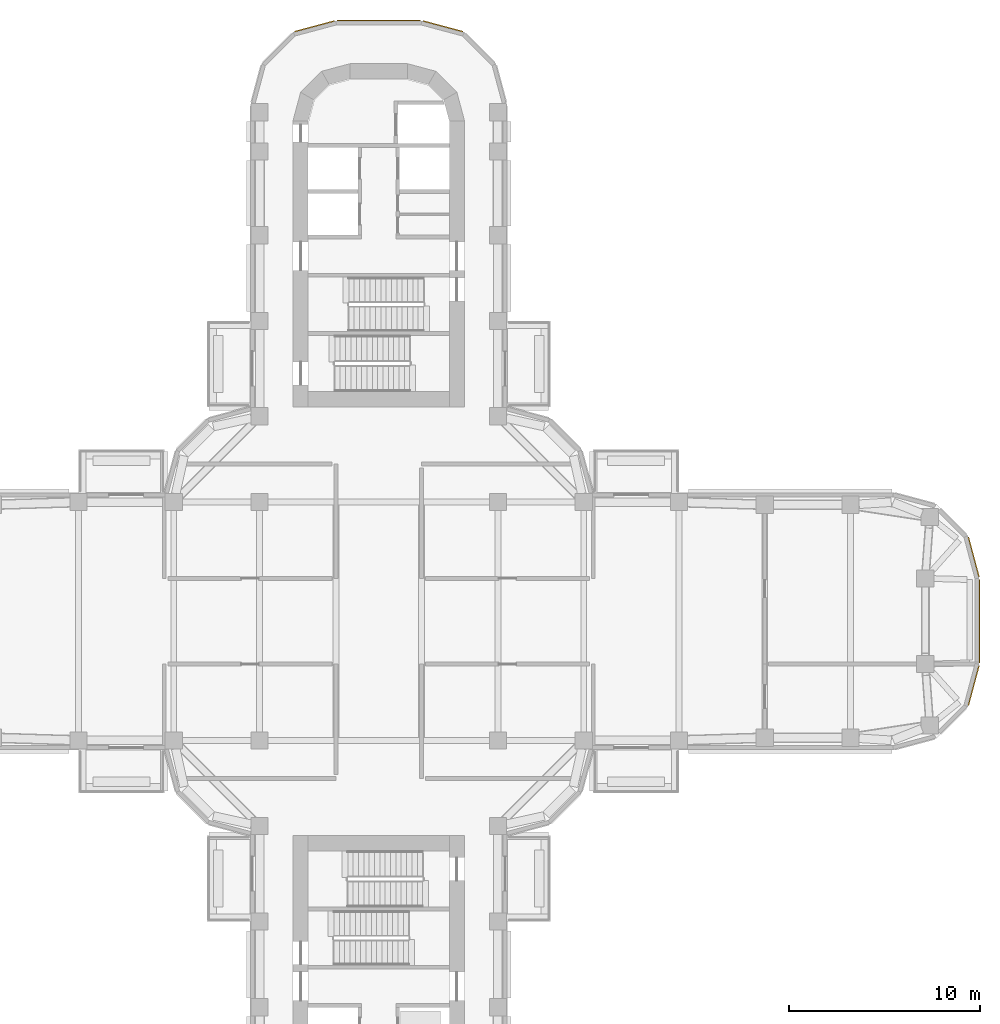
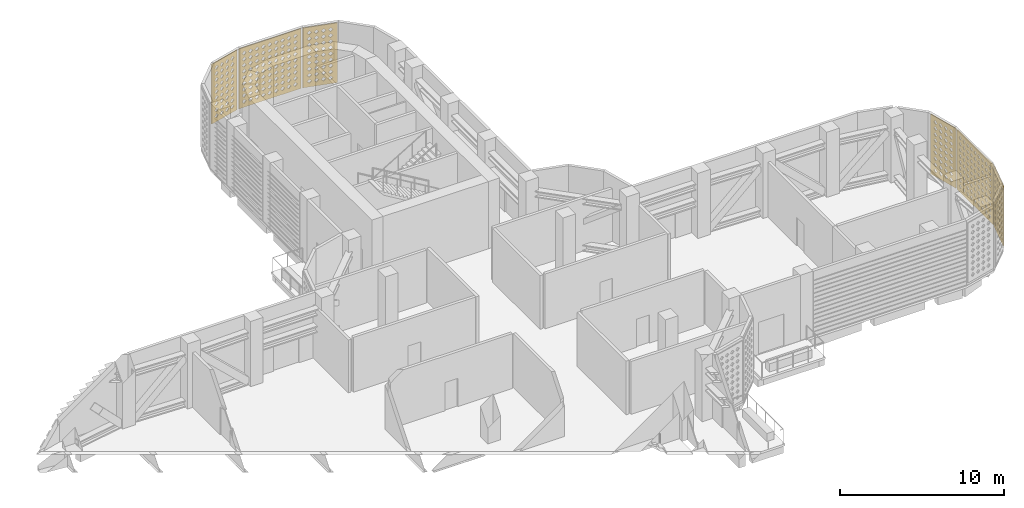
# One storey, part 19 of 20: 6 coverings.
"""IFC4 building model written with IfcOpenShell, lengths in metres."""

from ifc_helpers import new_model, si_unit, direction, frame, origin, place, context, subcontext, project, spatial, polyline, outline, extrude, source, transform, mapped, material, layer, layer_set, type_object, element, save


model = new_model("IFC4")

# Units and contexts
model_context = context("Model", 3, precision=1e-05, world=origin(), true_north=direction((0.0, 1.0)))
body_context = subcontext(model_context, "Body", "Model", "MODEL_VIEW")
ifc_project = project(units=[si_unit("LENGTHUNIT", "METRE"), si_unit("AREAUNIT", "SQUARE_METRE"), si_unit("VOLUMEUNIT", "CUBIC_METRE"), si_unit("PLANEANGLEUNIT", "RADIAN"), si_unit("MASSUNIT", "GRAM", prefix="KILO")], contexts=[model_context])

# Site, building, storey
site_placement = place(None, origin())
site = spatial("IfcSite", under=ifc_project, at=site_placement, CompositionType="ELEMENT")
building_placement = place(site_placement, origin())
building = spatial("IfcBuilding", under=site, at=building_placement, Name="Zarbagh Exchange Tower", CompositionType="ELEMENT")
storey_placement = place(building_placement, frame((0.0, 0.0, 136.0)))
storey = spatial("IfcBuildingStorey", under=building, at=storey_placement, Name="L32", CompositionType="ELEMENT", Elevation=136.0)

# Coverings
ifc_material = material(Name="Glass-fibre reinforced concrete GFRC C50/60", Category="concrete")
ifc_layer = layer(ifc_material, 0.06005859375)
ifc_layer_set = layer_set([ifc_layer], Name="SCREEN jali panel, GFRC")
covering_type = type_object("IfcCoveringType", Name="SCREEN jali panel, GFRC", PredefinedType="CLADDING", material=ifc_layer_set)
shared_shape_1 = source(origin(), body_context, "Body", "SweptSolid", [
    extrude(outline(polyline([(0.0, 0.0), (2.181396484375, 0.0), (2.181396484375, 4.449951171875), (0.0, 4.449951171875), (0.0, 0.0)]), holes=[polyline([(0.265625, 0.425048828125), (0.415771484375, 0.27490234375), (0.565673828125, 0.425048828125), (0.415771484375, 0.574951171875), (0.265625, 0.425048828125)]), polyline([(0.265625, 0.875), (0.415771484375, 0.72509765625), (0.565673828125, 0.875), (0.415771484375, 1.02490234375), (0.265625, 0.875)]), polyline([(0.265625, 1.324951171875), (0.415771484375, 1.175048828125), (0.565673828125, 1.324951171875), (0.415771484375, 1.47509765625), (0.265625, 1.324951171875)]), polyline([(0.265625, 1.77490234375), (0.415771484375, 1.625), (0.565673828125, 1.77490234375), (0.415771484375, 1.925048828125), (0.265625, 1.77490234375)]), polyline([(0.265625, 2.22509765625), (0.415771484375, 2.074951171875), (0.565673828125, 2.22509765625), (0.415771484375, 2.375), (0.265625, 2.22509765625)]), polyline([(0.265625, 2.675048828125), (0.415771484375, 2.52490234375), (0.565673828125, 2.675048828125), (0.415771484375, 2.824951171875), (0.265625, 2.675048828125)]), polyline([(0.265625, 3.125), (0.415771484375, 2.97509765625), (0.565673828125, 3.125), (0.415771484375, 3.27490234375), (0.265625, 3.125)]), polyline([(0.265625, 3.574951171875), (0.415771484375, 3.425048828125), (0.565673828125, 3.574951171875), (0.415771484375, 3.72509765625), (0.265625, 3.574951171875)]), polyline([(0.265625, 4.02490234375), (0.415771484375, 3.875), (0.565673828125, 4.02490234375), (0.415771484375, 4.175048828125), (0.265625, 4.02490234375)]), polyline([(0.7158203125, 0.425048828125), (0.86572265625, 0.27490234375), (1.015625, 0.425048828125), (0.86572265625, 0.574951171875), (0.7158203125, 0.425048828125)]), polyline([(0.7158203125, 0.875), (0.86572265625, 0.72509765625), (1.015625, 0.875), (0.86572265625, 1.02490234375), (0.7158203125, 0.875)]), polyline([(0.7158203125, 1.324951171875), (0.86572265625, 1.175048828125), (1.015625, 1.324951171875), (0.86572265625, 1.47509765625), (0.7158203125, 1.324951171875)]), polyline([(0.7158203125, 1.77490234375), (0.86572265625, 1.625), (1.015625, 1.77490234375), (0.86572265625, 1.925048828125), (0.7158203125, 1.77490234375)]), polyline([(0.7158203125, 2.22509765625), (0.86572265625, 2.074951171875), (1.015625, 2.22509765625), (0.86572265625, 2.375), (0.7158203125, 2.22509765625)]), polyline([(0.7158203125, 2.675048828125), (0.86572265625, 2.52490234375), (1.015625, 2.675048828125), (0.86572265625, 2.824951171875), (0.7158203125, 2.675048828125)]), polyline([(0.7158203125, 3.125), (0.86572265625, 2.97509765625), (1.015625, 3.125), (0.86572265625, 3.27490234375), (0.7158203125, 3.125)]), polyline([(0.7158203125, 3.574951171875), (0.86572265625, 3.425048828125), (1.015625, 3.574951171875), (0.86572265625, 3.72509765625), (0.7158203125, 3.574951171875)]), polyline([(0.7158203125, 4.02490234375), (0.86572265625, 3.875), (1.015625, 4.02490234375), (0.86572265625, 4.175048828125), (0.7158203125, 4.02490234375)]), polyline([(1.165771484375, 0.425048828125), (1.315673828125, 0.27490234375), (1.4658203125, 0.425048828125), (1.315673828125, 0.574951171875), (1.165771484375, 0.425048828125)]), polyline([(1.165771484375, 0.875), (1.315673828125, 0.72509765625), (1.4658203125, 0.875), (1.315673828125, 1.02490234375), (1.165771484375, 0.875)]), polyline([(1.165771484375, 1.324951171875), (1.315673828125, 1.175048828125), (1.4658203125, 1.324951171875), (1.315673828125, 1.47509765625), (1.165771484375, 1.324951171875)]), polyline([(1.165771484375, 1.77490234375), (1.315673828125, 1.625), (1.4658203125, 1.77490234375), (1.315673828125, 1.925048828125), (1.165771484375, 1.77490234375)]), polyline([(1.165771484375, 2.22509765625), (1.315673828125, 2.074951171875), (1.4658203125, 2.22509765625), (1.315673828125, 2.375), (1.165771484375, 2.22509765625)]), polyline([(1.165771484375, 2.675048828125), (1.315673828125, 2.52490234375), (1.4658203125, 2.675048828125), (1.315673828125, 2.824951171875), (1.165771484375, 2.675048828125)]), polyline([(1.165771484375, 3.125), (1.315673828125, 2.97509765625), (1.4658203125, 3.125), (1.315673828125, 3.27490234375), (1.165771484375, 3.125)]), polyline([(1.165771484375, 3.574951171875), (1.315673828125, 3.425048828125), (1.4658203125, 3.574951171875), (1.315673828125, 3.72509765625), (1.165771484375, 3.574951171875)]), polyline([(1.165771484375, 4.02490234375), (1.315673828125, 3.875), (1.4658203125, 4.02490234375), (1.315673828125, 4.175048828125), (1.165771484375, 4.02490234375)]), polyline([(1.61572265625, 0.425048828125), (1.765625, 0.27490234375), (1.915771484375, 0.425048828125), (1.765625, 0.574951171875), (1.61572265625, 0.425048828125)]), polyline([(1.61572265625, 0.875), (1.765625, 0.72509765625), (1.915771484375, 0.875), (1.765625, 1.02490234375), (1.61572265625, 0.875)]), polyline([(1.61572265625, 1.324951171875), (1.765625, 1.175048828125), (1.915771484375, 1.324951171875), (1.765625, 1.47509765625), (1.61572265625, 1.324951171875)]), polyline([(1.61572265625, 1.77490234375), (1.765625, 1.625), (1.915771484375, 1.77490234375), (1.765625, 1.925048828125), (1.61572265625, 1.77490234375)]), polyline([(1.61572265625, 2.22509765625), (1.765625, 2.074951171875), (1.915771484375, 2.22509765625), (1.765625, 2.375), (1.61572265625, 2.22509765625)]), polyline([(1.61572265625, 2.675048828125), (1.765625, 2.52490234375), (1.915771484375, 2.675048828125), (1.765625, 2.824951171875), (1.61572265625, 2.675048828125)]), polyline([(1.61572265625, 3.125), (1.765625, 2.97509765625), (1.915771484375, 3.125), (1.765625, 3.27490234375), (1.61572265625, 3.125)]), polyline([(1.61572265625, 3.574951171875), (1.765625, 3.425048828125), (1.915771484375, 3.574951171875), (1.765625, 3.72509765625), (1.61572265625, 3.574951171875)]), polyline([(1.61572265625, 4.02490234375), (1.765625, 3.875), (1.915771484375, 4.02490234375), (1.765625, 4.175048828125), (1.61572265625, 4.02490234375)])]), origin(), (0.0, 0.0, 1.0), 0.06005859375),
])
placement = place(storey_placement, origin())
element("IfcCovering", 1, at=placement, inside=storey, type_object=covering_type, Name="JS43 jali screen", PredefinedType="CLADDING", context=body_context, shape_type="MappedRepresentation", body=[
    mapped(shared_shape_1, transform((30.89892578125, -4.41552734375, 0.199951171875), x_axis=(0.258825057666, 0.965924215207, 0.0), y_axis=(0.0, 0.0, 1.0), z_axis=(0.965924215207, -0.258825057666, 0.0))),
])
element("IfcCovering", 2, at=placement, inside=storey, type_object=covering_type, Name="JS45 jali screen", PredefinedType="CLADDING", context=body_context, shape_type="MappedRepresentation", body=[
    mapped(shared_shape_1, transform((31.463623046875, 2.308349609375, 0.199951171875), x_axis=(-0.258825057666, 0.965924215207, 0.0), y_axis=(0.0, 0.0, 1.0), z_axis=(0.965924215207, 0.258825057666, 0.0))),
])
element("IfcCovering", 3, at=placement, inside=storey, type_object=covering_type, Name="JS50 jali screen", PredefinedType="CLADDING", context=body_context, shape_type="MappedRepresentation", body=[
    mapped(shared_shape_1, transform((4.41552734375, 30.89892578125, 0.199951171875), x_axis=(-0.965924215207, 0.258825057666, 0.0), y_axis=(0.0, 0.0, 1.0), z_axis=(0.258825057666, 0.965924215207, 0.0))),
])
element("IfcCovering", 4, at=placement, inside=storey, type_object=covering_type, Name="JS52 jali screen", PredefinedType="CLADDING", context=body_context, shape_type="MappedRepresentation", body=[
    mapped(shared_shape_1, transform((-2.308349609375, 31.463623046875, 0.199951171875), x_axis=(-0.965924215207, -0.258825057666, 0.0), y_axis=(0.0, 0.0, 1.0), z_axis=(-0.258825057666, 0.965924215207, 0.0))),
])
shared_shape_2 = source(origin(), body_context, "Body", "SweptSolid", [
    extrude(outline(polyline([(0.0, 0.0), (4.368408203125, 0.0), (4.368408203125, 4.449951171875), (0.0, 4.449951171875), (0.0, 0.0)]), holes=[polyline([(0.234130859375, 0.425048828125), (0.38427734375, 0.27490234375), (0.5341796875, 0.425048828125), (0.38427734375, 0.574951171875), (0.234130859375, 0.425048828125)]), polyline([(0.234130859375, 0.875), (0.38427734375, 0.72509765625), (0.5341796875, 0.875), (0.38427734375, 1.02490234375), (0.234130859375, 0.875)]), polyline([(0.234130859375, 1.324951171875), (0.38427734375, 1.175048828125), (0.5341796875, 1.324951171875), (0.38427734375, 1.47509765625), (0.234130859375, 1.324951171875)]), polyline([(0.234130859375, 1.77490234375), (0.38427734375, 1.625), (0.5341796875, 1.77490234375), (0.38427734375, 1.925048828125), (0.234130859375, 1.77490234375)]), polyline([(0.234130859375, 2.22509765625), (0.38427734375, 2.074951171875), (0.5341796875, 2.22509765625), (0.38427734375, 2.375), (0.234130859375, 2.22509765625)]), polyline([(0.234130859375, 2.675048828125), (0.38427734375, 2.52490234375), (0.5341796875, 2.675048828125), (0.38427734375, 2.824951171875), (0.234130859375, 2.675048828125)]), polyline([(0.234130859375, 3.125), (0.38427734375, 2.97509765625), (0.5341796875, 3.125), (0.38427734375, 3.27490234375), (0.234130859375, 3.125)]), polyline([(0.234130859375, 3.574951171875), (0.38427734375, 3.425048828125), (0.5341796875, 3.574951171875), (0.38427734375, 3.72509765625), (0.234130859375, 3.574951171875)]), polyline([(0.234130859375, 4.02490234375), (0.38427734375, 3.875), (0.5341796875, 4.02490234375), (0.38427734375, 4.175048828125), (0.234130859375, 4.02490234375)]), polyline([(0.68408203125, 0.425048828125), (0.834228515625, 0.27490234375), (0.984130859375, 0.425048828125), (0.834228515625, 0.574951171875), (0.68408203125, 0.425048828125)]), polyline([(0.68408203125, 0.875), (0.834228515625, 0.72509765625), (0.984130859375, 0.875), (0.834228515625, 1.02490234375), (0.68408203125, 0.875)]), polyline([(0.68408203125, 1.324951171875), (0.834228515625, 1.175048828125), (0.984130859375, 1.324951171875), (0.834228515625, 1.47509765625), (0.68408203125, 1.324951171875)]), polyline([(0.68408203125, 1.77490234375), (0.834228515625, 1.625), (0.984130859375, 1.77490234375), (0.834228515625, 1.925048828125), (0.68408203125, 1.77490234375)]), polyline([(0.68408203125, 2.22509765625), (0.834228515625, 2.074951171875), (0.984130859375, 2.22509765625), (0.834228515625, 2.375), (0.68408203125, 2.22509765625)]), polyline([(0.68408203125, 2.675048828125), (0.834228515625, 2.52490234375), (0.984130859375, 2.675048828125), (0.834228515625, 2.824951171875), (0.68408203125, 2.675048828125)]), polyline([(0.68408203125, 3.125), (0.834228515625, 2.97509765625), (0.984130859375, 3.125), (0.834228515625, 3.27490234375), (0.68408203125, 3.125)]), polyline([(0.68408203125, 3.574951171875), (0.834228515625, 3.425048828125), (0.984130859375, 3.574951171875), (0.834228515625, 3.72509765625), (0.68408203125, 3.574951171875)]), polyline([(0.68408203125, 4.02490234375), (0.834228515625, 3.875), (0.984130859375, 4.02490234375), (0.834228515625, 4.175048828125), (0.68408203125, 4.02490234375)]), polyline([(1.13427734375, 0.425048828125), (1.2841796875, 0.27490234375), (1.43408203125, 0.425048828125), (1.2841796875, 0.574951171875), (1.13427734375, 0.425048828125)]), polyline([(1.13427734375, 0.875), (1.2841796875, 0.72509765625), (1.43408203125, 0.875), (1.2841796875, 1.02490234375), (1.13427734375, 0.875)]), polyline([(1.13427734375, 1.324951171875), (1.2841796875, 1.175048828125), (1.43408203125, 1.324951171875), (1.2841796875, 1.47509765625), (1.13427734375, 1.324951171875)]), polyline([(1.13427734375, 1.77490234375), (1.2841796875, 1.625), (1.43408203125, 1.77490234375), (1.2841796875, 1.925048828125), (1.13427734375, 1.77490234375)]), polyline([(1.13427734375, 2.22509765625), (1.2841796875, 2.074951171875), (1.43408203125, 2.22509765625), (1.2841796875, 2.375), (1.13427734375, 2.22509765625)]), polyline([(1.13427734375, 2.675048828125), (1.2841796875, 2.52490234375), (1.43408203125, 2.675048828125), (1.2841796875, 2.824951171875), (1.13427734375, 2.675048828125)]), polyline([(1.13427734375, 3.125), (1.2841796875, 2.97509765625), (1.43408203125, 3.125), (1.2841796875, 3.27490234375), (1.13427734375, 3.125)]), polyline([(1.13427734375, 3.574951171875), (1.2841796875, 3.425048828125), (1.43408203125, 3.574951171875), (1.2841796875, 3.72509765625), (1.13427734375, 3.574951171875)]), polyline([(1.13427734375, 4.02490234375), (1.2841796875, 3.875), (1.43408203125, 4.02490234375), (1.2841796875, 4.175048828125), (1.13427734375, 4.02490234375)]), polyline([(1.584228515625, 0.425048828125), (1.734130859375, 0.27490234375), (1.88427734375, 0.425048828125), (1.734130859375, 0.574951171875), (1.584228515625, 0.425048828125)]), polyline([(1.584228515625, 0.875), (1.734130859375, 0.72509765625), (1.88427734375, 0.875), (1.734130859375, 1.02490234375), (1.584228515625, 0.875)]), polyline([(1.584228515625, 1.324951171875), (1.734130859375, 1.175048828125), (1.88427734375, 1.324951171875), (1.734130859375, 1.47509765625), (1.584228515625, 1.324951171875)]), polyline([(1.584228515625, 1.77490234375), (1.734130859375, 1.625), (1.88427734375, 1.77490234375), (1.734130859375, 1.925048828125), (1.584228515625, 1.77490234375)]), polyline([(1.584228515625, 2.22509765625), (1.734130859375, 2.074951171875), (1.88427734375, 2.22509765625), (1.734130859375, 2.375), (1.584228515625, 2.22509765625)]), polyline([(1.584228515625, 2.675048828125), (1.734130859375, 2.52490234375), (1.88427734375, 2.675048828125), (1.734130859375, 2.824951171875), (1.584228515625, 2.675048828125)]), polyline([(1.584228515625, 3.125), (1.734130859375, 2.97509765625), (1.88427734375, 3.125), (1.734130859375, 3.27490234375), (1.584228515625, 3.125)]), polyline([(1.584228515625, 3.574951171875), (1.734130859375, 3.425048828125), (1.88427734375, 3.574951171875), (1.734130859375, 3.72509765625), (1.584228515625, 3.574951171875)]), polyline([(1.584228515625, 4.02490234375), (1.734130859375, 3.875), (1.88427734375, 4.02490234375), (1.734130859375, 4.175048828125), (1.584228515625, 4.02490234375)]), polyline([(2.0341796875, 0.425048828125), (2.18408203125, 0.27490234375), (2.334228515625, 0.425048828125), (2.18408203125, 0.574951171875), (2.0341796875, 0.425048828125)]), polyline([(2.0341796875, 0.875), (2.18408203125, 0.72509765625), (2.334228515625, 0.875), (2.18408203125, 1.02490234375), (2.0341796875, 0.875)]), polyline([(2.0341796875, 1.324951171875), (2.18408203125, 1.175048828125), (2.334228515625, 1.324951171875), (2.18408203125, 1.47509765625), (2.0341796875, 1.324951171875)]), polyline([(2.0341796875, 1.77490234375), (2.18408203125, 1.625), (2.334228515625, 1.77490234375), (2.18408203125, 1.925048828125), (2.0341796875, 1.77490234375)]), polyline([(2.0341796875, 2.22509765625), (2.18408203125, 2.074951171875), (2.334228515625, 2.22509765625), (2.18408203125, 2.375), (2.0341796875, 2.22509765625)]), polyline([(2.0341796875, 2.675048828125), (2.18408203125, 2.52490234375), (2.334228515625, 2.675048828125), (2.18408203125, 2.824951171875), (2.0341796875, 2.675048828125)]), polyline([(2.0341796875, 3.125), (2.18408203125, 2.97509765625), (2.334228515625, 3.125), (2.18408203125, 3.27490234375), (2.0341796875, 3.125)]), polyline([(2.0341796875, 3.574951171875), (2.18408203125, 3.425048828125), (2.334228515625, 3.574951171875), (2.18408203125, 3.72509765625), (2.0341796875, 3.574951171875)]), polyline([(2.0341796875, 4.02490234375), (2.18408203125, 3.875), (2.334228515625, 4.02490234375), (2.18408203125, 4.175048828125), (2.0341796875, 4.02490234375)]), polyline([(2.484130859375, 0.425048828125), (2.63427734375, 0.27490234375), (2.7841796875, 0.425048828125), (2.63427734375, 0.574951171875), (2.484130859375, 0.425048828125)]), polyline([(2.484130859375, 0.875), (2.63427734375, 0.72509765625), (2.7841796875, 0.875), (2.63427734375, 1.02490234375), (2.484130859375, 0.875)]), polyline([(2.484130859375, 1.324951171875), (2.63427734375, 1.175048828125), (2.7841796875, 1.324951171875), (2.63427734375, 1.47509765625), (2.484130859375, 1.324951171875)]), polyline([(2.484130859375, 1.77490234375), (2.63427734375, 1.625), (2.7841796875, 1.77490234375), (2.63427734375, 1.925048828125), (2.484130859375, 1.77490234375)]), polyline([(2.484130859375, 2.22509765625), (2.63427734375, 2.074951171875), (2.7841796875, 2.22509765625), (2.63427734375, 2.375), (2.484130859375, 2.22509765625)]), polyline([(2.484130859375, 2.675048828125), (2.63427734375, 2.52490234375), (2.7841796875, 2.675048828125), (2.63427734375, 2.824951171875), (2.484130859375, 2.675048828125)]), polyline([(2.484130859375, 3.125), (2.63427734375, 2.97509765625), (2.7841796875, 3.125), (2.63427734375, 3.27490234375), (2.484130859375, 3.125)]), polyline([(2.484130859375, 3.574951171875), (2.63427734375, 3.425048828125), (2.7841796875, 3.574951171875), (2.63427734375, 3.72509765625), (2.484130859375, 3.574951171875)]), polyline([(2.484130859375, 4.02490234375), (2.63427734375, 3.875), (2.7841796875, 4.02490234375), (2.63427734375, 4.175048828125), (2.484130859375, 4.02490234375)]), polyline([(2.93408203125, 0.425048828125), (3.084228515625, 0.27490234375), (3.234130859375, 0.425048828125), (3.084228515625, 0.574951171875), (2.93408203125, 0.425048828125)]), polyline([(2.93408203125, 0.875), (3.084228515625, 0.72509765625), (3.234130859375, 0.875), (3.084228515625, 1.02490234375), (2.93408203125, 0.875)]), polyline([(2.93408203125, 1.324951171875), (3.084228515625, 1.175048828125), (3.234130859375, 1.324951171875), (3.084228515625, 1.47509765625), (2.93408203125, 1.324951171875)]), polyline([(2.93408203125, 1.77490234375), (3.084228515625, 1.625), (3.234130859375, 1.77490234375), (3.084228515625, 1.925048828125), (2.93408203125, 1.77490234375)]), polyline([(2.93408203125, 2.22509765625), (3.084228515625, 2.074951171875), (3.234130859375, 2.22509765625), (3.084228515625, 2.375), (2.93408203125, 2.22509765625)]), polyline([(2.93408203125, 2.675048828125), (3.084228515625, 2.52490234375), (3.234130859375, 2.675048828125), (3.084228515625, 2.824951171875), (2.93408203125, 2.675048828125)]), polyline([(2.93408203125, 3.125), (3.084228515625, 2.97509765625), (3.234130859375, 3.125), (3.084228515625, 3.27490234375), (2.93408203125, 3.125)]), polyline([(2.93408203125, 3.574951171875), (3.084228515625, 3.425048828125), (3.234130859375, 3.574951171875), (3.084228515625, 3.72509765625), (2.93408203125, 3.574951171875)]), polyline([(2.93408203125, 4.02490234375), (3.084228515625, 3.875), (3.234130859375, 4.02490234375), (3.084228515625, 4.175048828125), (2.93408203125, 4.02490234375)]), polyline([(3.38427734375, 0.425048828125), (3.5341796875, 0.27490234375), (3.68408203125, 0.425048828125), (3.5341796875, 0.574951171875), (3.38427734375, 0.425048828125)]), polyline([(3.38427734375, 0.875), (3.5341796875, 0.72509765625), (3.68408203125, 0.875), (3.5341796875, 1.02490234375), (3.38427734375, 0.875)]), polyline([(3.38427734375, 1.324951171875), (3.5341796875, 1.175048828125), (3.68408203125, 1.324951171875), (3.5341796875, 1.47509765625), (3.38427734375, 1.324951171875)]), polyline([(3.38427734375, 1.77490234375), (3.5341796875, 1.625), (3.68408203125, 1.77490234375), (3.5341796875, 1.925048828125), (3.38427734375, 1.77490234375)]), polyline([(3.38427734375, 2.22509765625), (3.5341796875, 2.074951171875), (3.68408203125, 2.22509765625), (3.5341796875, 2.375), (3.38427734375, 2.22509765625)]), polyline([(3.38427734375, 2.675048828125), (3.5341796875, 2.52490234375), (3.68408203125, 2.675048828125), (3.5341796875, 2.824951171875), (3.38427734375, 2.675048828125)]), polyline([(3.38427734375, 3.125), (3.5341796875, 2.97509765625), (3.68408203125, 3.125), (3.5341796875, 3.27490234375), (3.38427734375, 3.125)]), polyline([(3.38427734375, 3.574951171875), (3.5341796875, 3.425048828125), (3.68408203125, 3.574951171875), (3.5341796875, 3.72509765625), (3.38427734375, 3.574951171875)]), polyline([(3.38427734375, 4.02490234375), (3.5341796875, 3.875), (3.68408203125, 4.02490234375), (3.5341796875, 4.175048828125), (3.38427734375, 4.02490234375)]), polyline([(3.834228515625, 0.425048828125), (3.984130859375, 0.27490234375), (4.13427734375, 0.425048828125), (3.984130859375, 0.574951171875), (3.834228515625, 0.425048828125)]), polyline([(3.834228515625, 0.875), (3.984130859375, 0.72509765625), (4.13427734375, 0.875), (3.984130859375, 1.02490234375), (3.834228515625, 0.875)]), polyline([(3.834228515625, 1.324951171875), (3.984130859375, 1.175048828125), (4.13427734375, 1.324951171875), (3.984130859375, 1.47509765625), (3.834228515625, 1.324951171875)]), polyline([(3.834228515625, 1.77490234375), (3.984130859375, 1.625), (4.13427734375, 1.77490234375), (3.984130859375, 1.925048828125), (3.834228515625, 1.77490234375)]), polyline([(3.834228515625, 2.22509765625), (3.984130859375, 2.074951171875), (4.13427734375, 2.22509765625), (3.984130859375, 2.375), (3.834228515625, 2.22509765625)]), polyline([(3.834228515625, 2.675048828125), (3.984130859375, 2.52490234375), (4.13427734375, 2.675048828125), (3.984130859375, 2.824951171875), (3.834228515625, 2.675048828125)]), polyline([(3.834228515625, 3.125), (3.984130859375, 2.97509765625), (4.13427734375, 3.125), (3.984130859375, 3.27490234375), (3.834228515625, 3.125)]), polyline([(3.834228515625, 3.574951171875), (3.984130859375, 3.425048828125), (4.13427734375, 3.574951171875), (3.984130859375, 3.72509765625), (3.834228515625, 3.574951171875)]), polyline([(3.834228515625, 4.02490234375), (3.984130859375, 3.875), (4.13427734375, 4.02490234375), (3.984130859375, 4.175048828125), (3.834228515625, 4.02490234375)])]), origin(), (0.0, 0.0, 1.0), 0.06005859375),
])
element("IfcCovering", 5, at=placement, inside=storey, type_object=covering_type, Name="JS44 jali screen", PredefinedType="CLADDING", context=body_context, shape_type="MappedRepresentation", body=[
    mapped(shared_shape_2, transform((31.47998046875, -2.18408203125, 0.199951171875), x_axis=(0.0, 1.0, 0.0), y_axis=(0.0, 0.0, 1.0), z_axis=(1.0, 0.0, 0.0))),
])
element("IfcCovering", 6, at=placement, inside=storey, type_object=covering_type, Name="JS51 jali screen", PredefinedType="CLADDING", context=body_context, shape_type="MappedRepresentation", body=[
    mapped(shared_shape_2, transform((2.18408203125, 31.47998046875, 0.199951171875), x_axis=(-1.0, 0.0, 0.0), y_axis=(0.0, 0.0, 1.0), z_axis=(0.0, 1.0, 0.0))),
])

save(model, "model.ifc")
